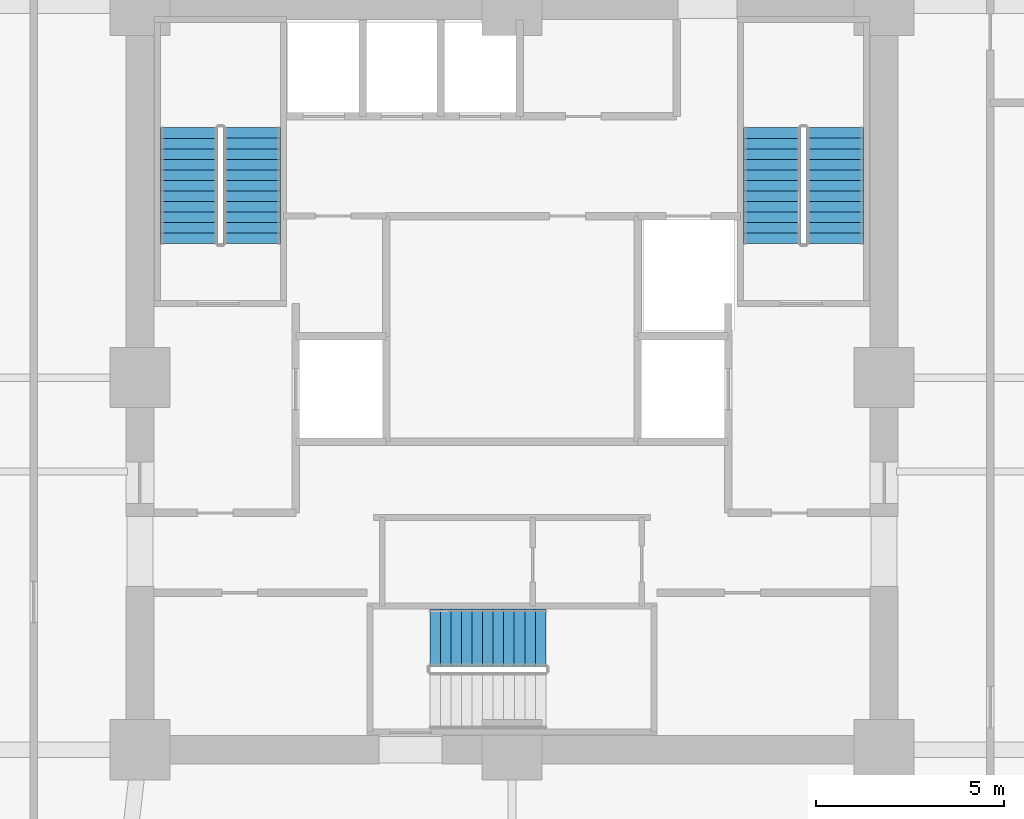
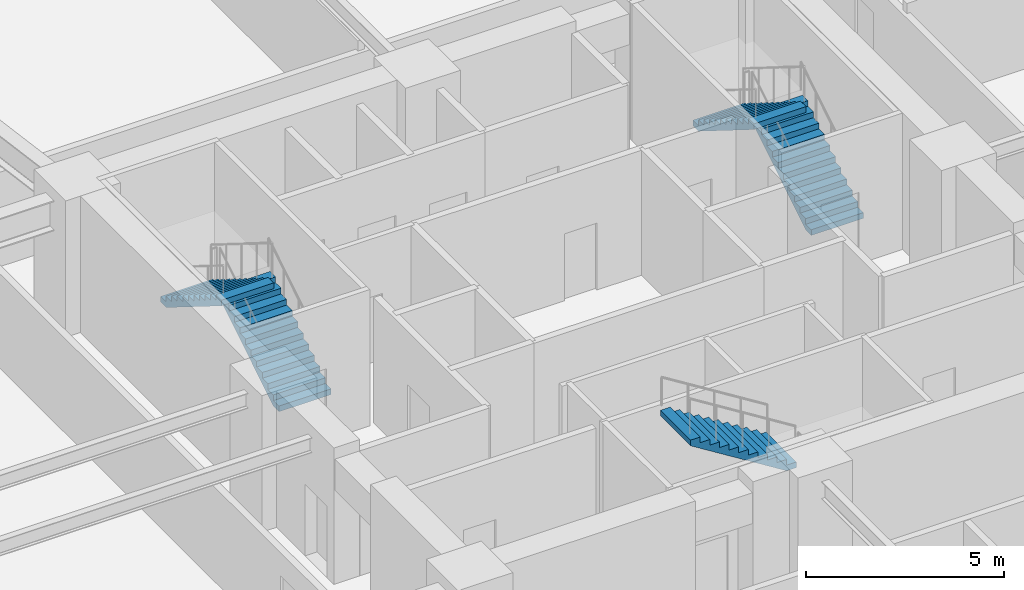
# One storey, part 4 of 5: 5 stair flights, 3 elements without a shape of their own.
"""IFC4 building model written with IfcOpenShell, lengths in metres."""

import ifcopenshell
import ifcopenshell.guid

model = None  # the IFC model being written
_history = None  # IfcOwnerHistory: only IFC2X3 demands one
_inside = {}  # id of a spatial element -> (the spatial element, [elements in it])
_under = {}  # id of a project, library or spatial element -> (it, [spatial elements below it])
_declared = {}  # id of a project -> (the project, [libraries it declares])
_typed = {}  # id of a type object -> (the type object, [elements of that type])
_made_of = {}  # id of a material, layer set ... -> (it, [elements and type objects made of it])


def new_model(schema):
    """Start an empty IFC model of exactly this schema.

    Asked for "IFC4X3", IfcOpenShell would pick the latest addendum, in which some entities
    have other attributes; the version numbers below select the first issue.
    IFC2X3 requires an IfcOwnerHistory on every rooted entity: one is made here for all.
    """
    global model, _history
    if schema == "IFC4X3":
        model = ifcopenshell.file(schema_version=(4, 3, 0, 0))
    else:
        model = ifcopenshell.file(schema=schema)
    _inside.clear()
    _under.clear()
    _declared.clear()
    _typed.clear()
    _made_of.clear()
    _history = None
    if model.schema == "IFC2X3":
        org = make("IfcOrganization", Name="unknown")
        user = make(
            "IfcPersonAndOrganization",
            ThePerson=make("IfcPerson", FamilyName="unknown"),
            TheOrganization=org,
        )
        app = make(
            "IfcApplication",
            ApplicationDeveloper=org,
            Version="unknown",
            ApplicationFullName="unknown",
            ApplicationIdentifier="unknown",
        )
        _history = make(
            "IfcOwnerHistory",
            OwningUser=user,
            OwningApplication=app,
            ChangeAction="ADDED",
            CreationDate=0,
        )
    return model


def make(cls, **values):
    """One entity of the class cls with the attributes given. An attribute that is None is left unset."""
    return model.create_entity(
        cls, **{name: value for name, value in values.items() if value is not None}
    )


def rooted(cls, **values):
    """An entity with a GlobalId (a new one), such as an element, a storey or a relation."""
    return make(cls, GlobalId=ifcopenshell.guid.new(), OwnerHistory=_history, **values)


def si_unit(unit_type, name, prefix=None):
    """IfcSIUnit, for example si_unit("LENGTHUNIT", "METRE", prefix="MILLI")."""
    return make("IfcSIUnit", UnitType=unit_type, Prefix=prefix, Name=name)


def assignment(units):
    """IfcUnitAssignment: the units of a project."""
    return None if units is None else make("IfcUnitAssignment", Units=units)


def point(xyz):
    """IfcCartesianPoint."""
    return None if xyz is None else make("IfcCartesianPoint", Coordinates=xyz)


def direction(xyz):
    """IfcDirection."""
    return None if xyz is None else make("IfcDirection", DirectionRatios=xyz)


def frame(location, z_axis=None, x_axis=None):
    """IfcAxis2Placement3D, a coordinate frame: its origin and axes. An axis left out is left unset."""
    return make(
        "IfcAxis2Placement3D",
        Location=point(location),
        Axis=direction(z_axis),
        RefDirection=direction(x_axis),
    )


def origin():
    """The frame at (0, 0, 0) with its axes left unset."""
    return frame((0.0, 0.0, 0.0))


def place(relative_to, where):
    """IfcLocalPlacement: puts the frame where relative to a parent placement (None: the world)."""
    return make(
        "IfcLocalPlacement", PlacementRelTo=relative_to, RelativePlacement=where
    )


def context(
    kind, dimensions, precision=None, world=None, true_north=None, identifier=None
):
    """IfcGeometricRepresentationContext, for example the 3D "Model" context."""
    return make(
        "IfcGeometricRepresentationContext",
        ContextIdentifier=identifier,
        ContextType=kind,
        CoordinateSpaceDimension=dimensions,
        Precision=precision,
        WorldCoordinateSystem=world,
        TrueNorth=true_north,
    )


def subcontext(parent, identifier, kind, view, scale=None):
    """IfcGeometricRepresentationSubContext, for example "Body" below "Model"."""
    return make(
        "IfcGeometricRepresentationSubContext",
        ContextIdentifier=identifier,
        ContextType=kind,
        ParentContext=parent,
        TargetScale=scale,
        TargetView=view,
    )


def project(units=None, contexts=None):
    """IfcProject with its units and contexts."""
    return rooted(
        "IfcProject",
        Name="project",
        RepresentationContexts=contexts,
        UnitsInContext=assignment(units),
    )


def spatial(cls, under=None, at=None, **own):
    """A site, building, storey or space (cls), placed at a placement, below another one or the project."""
    s = rooted(cls, ObjectPlacement=at, **own)
    if under is not None:
        _under.setdefault(under.id(), (under, []))[1].append(s)
    return s


def polyline(points):
    """IfcPolyline through the points."""
    return make("IfcPolyline", Points=[point(p) for p in points])


def outline(outer, holes=None, kind="AREA"):
    """IfcArbitraryClosedProfileDef: a profile drawn as a closed curve; with holes, ...WithVoids."""
    if holes is None:
        return make("IfcArbitraryClosedProfileDef", ProfileType=kind, OuterCurve=outer)
    return make(
        "IfcArbitraryProfileDefWithVoids",
        ProfileType=kind,
        OuterCurve=outer,
        InnerCurves=holes,
    )


def extrude(swept, where, along, depth):
    """IfcExtrudedAreaSolid: the profile swept, set in the frame where, extruded along a direction by depth."""
    return make(
        "IfcExtrudedAreaSolid",
        SweptArea=swept,
        Position=where,
        ExtrudedDirection=direction(along),
        Depth=depth,
    )


def shape(context_of_items, identifier, shape_type, items):
    """IfcShapeRepresentation: the items that make up one representation, for example the "Body"."""
    return make(
        "IfcShapeRepresentation",
        ContextOfItems=context_of_items,
        RepresentationIdentifier=identifier,
        RepresentationType=shape_type,
        Items=items,
    )


def material(Name=None, Category=None):
    """IfcMaterial."""
    return make("IfcMaterial", Name=Name, Category=Category)


def made_of(thing, what):
    """Note that an element or type object is made of a material, layer set ...; save() writes the relation."""
    if what is not None:
        _made_of.setdefault(what.id(), (what, []))[1].append(thing)
    return thing


def type_object(cls, material=None, **own):
    """A type object (cls), such as IfcWallType, which elements share."""
    return made_of(rooted(cls, **own), material)


def element(
    cls,
    number,
    at=None,
    inside=None,
    cuts=None,
    type_object=None,
    material=None,
    context=None,
    identifier="Body",
    shape_type=None,
    held_by="IfcProductDefinitionShape",
    body=None,
    shapes=None,
    **own,
):
    """One element of the class cls, such as IfcWall. Its Tag is "e" and its number.

    at: its placement. inside: the storey or other place that contains it. cuts: it is an
    opening in that element (IfcRelVoidsElement). A single representation is given by context,
    identifier, shape_type and body (its items); several are given by shapes. held_by: the class
    of the entity that holds the representations. save() writes the other relations.
    """
    e = rooted(cls, Tag="e%d" % number, ObjectPlacement=at, **own)
    if body is not None:
        shapes = [shape(context, identifier, shape_type, body)]
    if shapes is not None:
        e.Representation = make(held_by, Representations=shapes)
    if inside is not None:
        _inside.setdefault(inside.id(), (inside, []))[1].append(e)
    if cuts is not None:
        rooted(
            "IfcRelVoidsElement", RelatingBuildingElement=cuts, RelatedOpeningElement=e
        )
    if type_object is not None:
        _typed.setdefault(type_object.id(), (type_object, []))[1].append(e)
    return made_of(e, material)


def aggregate(whole, parts):
    """IfcRelAggregates: a whole, such as a stair, and the parts it consists of."""
    return rooted("IfcRelAggregates", RelatingObject=whole, RelatedObjects=parts)


def save(model, path):
    """Write the relations noted so far, then the file.

    IfcRelAggregates (storeys below a building ...), IfcRelContainedInSpatialStructure (elements
    in a storey), IfcRelDefinesByType, IfcRelAssociatesMaterial and IfcRelDeclares: one each for
    every whole, place, type object, material and project.
    """
    for whole, parts in _under.values():
        aggregate(whole, parts)
    for where, things in _inside.values():
        rooted(
            "IfcRelContainedInSpatialStructure",
            RelatedElements=things,
            RelatingStructure=where,
        )
    for kind, things in _typed.values():
        rooted("IfcRelDefinesByType", RelatedObjects=things, RelatingType=kind)
    for what, things in _made_of.values():
        rooted("IfcRelAssociatesMaterial", RelatedObjects=things, RelatingMaterial=what)
    for by, libraries in _declared.values():
        rooted("IfcRelDeclares", RelatingContext=by, RelatedDefinitions=libraries)
    model.write(path)


model = new_model("IFC4")

# Units and contexts
model_context = context("Model", 3, precision=1e-05, world=origin(), true_north=direction((0.0, 1.0)))
body_context = subcontext(model_context, "Body", "Model", "MODEL_VIEW")
ifc_project = project(units=[si_unit("LENGTHUNIT", "METRE"), si_unit("AREAUNIT", "SQUARE_METRE"), si_unit("VOLUMEUNIT", "CUBIC_METRE"), si_unit("PLANEANGLEUNIT", "RADIAN"), si_unit("MASSUNIT", "GRAM", prefix="KILO")], contexts=[model_context])

# Site, building, storey
site_placement = place(None, origin())
site = spatial("IfcSite", under=ifc_project, at=site_placement, CompositionType="ELEMENT")
building_placement = place(site_placement, origin())
building = spatial("IfcBuilding", under=site, at=building_placement, Name="Kolvaren Belvedere", CompositionType="ELEMENT")
storey_placement = place(building_placement, frame((0.0, 0.0, -4.199951171875)))
storey = spatial("IfcBuildingStorey", under=building, at=storey_placement, Name="B01", CompositionType="ELEMENT", Elevation=-4.199951171875)

# Stair, stair flights
ifc_material_1 = material(Name="Concrete C50/60", Category="concrete")
stair_type = type_object("IfcStairType", Name="ST-CORE-1520", PredefinedType="HALF_TURN_STAIR", material=ifc_material_1)
stair_1_placement = place(storey_placement, origin())
stair_1 = element("IfcStair", 1, at=stair_1_placement, inside=storey, type_object=stair_type, Name="B01 Protected Exit Stair ST-1", PredefinedType="HALF_TURN_STAIR")
ifc_material_2 = material(Name="Concrete C50/60", Category="concrete")
stair_flight_type = type_object("IfcStairFlightType", Name="SF-STR-1520", PredefinedType="STRAIGHT", material=ifc_material_2)
stair_flight_1_placement = place(storey_placement, frame((-6.919921875, 3.570068359375, 0.0), z_axis=(0.0, 0.0, 1.0), x_axis=(0.0, 1.0, 0.0)))
stair_flight_1 = element("IfcStairFlight", 2, at=stair_flight_1_placement, type_object=stair_flight_type, Name="ST-1 flight 1", NumberOfRisers=12, NumberOfTreads=11, PredefinedType="STRAIGHT", RiserHeight=0.175, TreadLength=0.28, context=body_context, shape_type="SweptSolid", body=[
    extrude(outline(polyline([(0.0, 0.0), (0.0, 0.175048828125), (0.280029296875, 0.175048828125), (0.280029296875, 0.35009765625), (0.56005859375, 0.35009765625), (0.56005859375, 0.52490234375), (0.840087890625, 0.52490234375), (0.840087890625, 0.699951171875), (1.1201171875, 0.699951171875), (1.1201171875, 0.875), (1.39990234375, 0.875), (1.39990234375, 1.050048828125), (1.679931640625, 1.050048828125), (1.679931640625, 1.22509765625), (1.9599609375, 1.22509765625), (1.9599609375, 1.39990234375), (2.239990234375, 1.39990234375), (2.239990234375, 1.574951171875), (2.52001953125, 1.574951171875), (2.52001953125, 1.75), (2.800048828125, 1.75), (2.800048828125, 1.925048828125), (3.080078125, 1.925048828125), (3.080078125, 2.10009765625), (3.080078125, 1.748291015625), (0.28271484375, 0.0), (0.0, 0.0)])), frame((0.0, 0.760009765625, 0.0), z_axis=(0.0, -1.0, 0.0), x_axis=(1.0, 0.0, 0.0)), (0.0, 0.0, 1.0), 1.52001953125),
])
stair_flight_2_placement = place(storey_placement, frame((-8.590087890625, 6.64990234375, 2.099853515625), z_axis=(0.0, 0.0, 1.0), x_axis=(0.0, -1.0, 0.0)))
stair_flight_2 = element("IfcStairFlight", 3, at=stair_flight_2_placement, type_object=stair_flight_type, Name="ST-1 flight 2", NumberOfRisers=12, NumberOfTreads=11, PredefinedType="STRAIGHT", RiserHeight=0.175, TreadLength=0.28, context=body_context, shape_type="SweptSolid", body=[
    extrude(outline(polyline([(0.0, 0.0), (0.0, 0.175048828125), (0.280029296875, 0.175048828125), (0.280029296875, 0.35009765625), (0.56005859375, 0.35009765625), (0.56005859375, 0.52490234375), (0.840087890625, 0.52490234375), (0.840087890625, 0.699951171875), (1.1201171875, 0.699951171875), (1.1201171875, 0.875), (1.39990234375, 0.875), (1.39990234375, 1.050048828125), (1.679931640625, 1.050048828125), (1.679931640625, 1.22509765625), (1.9599609375, 1.22509765625), (1.9599609375, 1.39990234375), (2.239990234375, 1.39990234375), (2.239990234375, 1.574951171875), (2.52001953125, 1.574951171875), (2.52001953125, 1.75), (2.800048828125, 1.75), (2.800048828125, 1.925048828125), (3.080078125, 1.925048828125), (3.080078125, 2.10009765625), (3.080078125, 1.748291015625), (0.28271484375, 0.0), (0.0, 0.0)])), frame((0.0, 0.760009765625, 0.0), z_axis=(0.0, -1.0, 0.0), x_axis=(1.0, 0.0, 0.0)), (0.0, 0.0, 1.0), 1.52001953125),
])
aggregate(stair_1, [stair_flight_1, stair_flight_2])

stair_2_placement = place(storey_placement, origin())
stair_2 = element("IfcStair", 4, at=stair_2_placement, inside=storey, type_object=stair_type, Name="B01 Protected Exit Stair ST-2", PredefinedType="HALF_TURN_STAIR")
stair_flight_3_placement = place(storey_placement, frame((8.590087890625, 3.570068359375, 0.0), z_axis=(0.0, 0.0, 1.0), x_axis=(0.0, 1.0, 0.0)))
stair_flight_3 = element("IfcStairFlight", 5, at=stair_flight_3_placement, type_object=stair_flight_type, Name="ST-2 flight 1", NumberOfRisers=12, NumberOfTreads=11, PredefinedType="STRAIGHT", RiserHeight=0.175, TreadLength=0.28, context=body_context, shape_type="SweptSolid", body=[
    extrude(outline(polyline([(0.0, 0.0), (0.0, 0.175048828125), (0.280029296875, 0.175048828125), (0.280029296875, 0.35009765625), (0.56005859375, 0.35009765625), (0.56005859375, 0.52490234375), (0.840087890625, 0.52490234375), (0.840087890625, 0.699951171875), (1.1201171875, 0.699951171875), (1.1201171875, 0.875), (1.39990234375, 0.875), (1.39990234375, 1.050048828125), (1.679931640625, 1.050048828125), (1.679931640625, 1.22509765625), (1.9599609375, 1.22509765625), (1.9599609375, 1.39990234375), (2.239990234375, 1.39990234375), (2.239990234375, 1.574951171875), (2.52001953125, 1.574951171875), (2.52001953125, 1.75), (2.800048828125, 1.75), (2.800048828125, 1.925048828125), (3.080078125, 1.925048828125), (3.080078125, 2.10009765625), (3.080078125, 1.748291015625), (0.28271484375, 0.0), (0.0, 0.0)])), frame((0.0, 0.760009765625, 0.0), z_axis=(0.0, -1.0, 0.0), x_axis=(1.0, 0.0, 0.0)), (0.0, 0.0, 1.0), 1.52001953125),
])
stair_flight_4_placement = place(storey_placement, frame((6.919921875, 6.64990234375, 2.099853515625), z_axis=(0.0, 0.0, 1.0), x_axis=(0.0, -1.0, 0.0)))
stair_flight_4 = element("IfcStairFlight", 6, at=stair_flight_4_placement, type_object=stair_flight_type, Name="ST-2 flight 2", NumberOfRisers=12, NumberOfTreads=11, PredefinedType="STRAIGHT", RiserHeight=0.175, TreadLength=0.28, context=body_context, shape_type="SweptSolid", body=[
    extrude(outline(polyline([(0.0, 0.0), (0.0, 0.175048828125), (0.280029296875, 0.175048828125), (0.280029296875, 0.35009765625), (0.56005859375, 0.35009765625), (0.56005859375, 0.52490234375), (0.840087890625, 0.52490234375), (0.840087890625, 0.699951171875), (1.1201171875, 0.699951171875), (1.1201171875, 0.875), (1.39990234375, 0.875), (1.39990234375, 1.050048828125), (1.679931640625, 1.050048828125), (1.679931640625, 1.22509765625), (1.9599609375, 1.22509765625), (1.9599609375, 1.39990234375), (2.239990234375, 1.39990234375), (2.239990234375, 1.574951171875), (2.52001953125, 1.574951171875), (2.52001953125, 1.75), (2.800048828125, 1.75), (2.800048828125, 1.925048828125), (3.080078125, 1.925048828125), (3.080078125, 2.10009765625), (3.080078125, 1.748291015625), (0.28271484375, 0.0), (0.0, 0.0)])), frame((0.0, 0.760009765625, 0.0), z_axis=(0.0, -1.0, 0.0), x_axis=(1.0, 0.0, 0.0)), (0.0, 0.0, 1.0), 1.52001953125),
])
aggregate(stair_2, [stair_flight_3, stair_flight_4])

# Stair, stair flight
stair_3_placement = place(storey_placement, origin())
stair_3 = element("IfcStair", 7, at=stair_3_placement, inside=storey, type_object=stair_type, Name="B01 Protected Exit Stair ST-3", PredefinedType="HALF_TURN_STAIR")
stair_flight_5_placement = place(storey_placement, frame((0.89990234375, -6.919921875, 2.099853515625), z_axis=(0.0, 0.0, 1.0), x_axis=(-1.0, 0.0, 0.0)))
stair_flight_5 = element("IfcStairFlight", 8, at=stair_flight_5_placement, type_object=stair_flight_type, Name="ST-3 flight 2", NumberOfRisers=12, NumberOfTreads=11, PredefinedType="STRAIGHT", RiserHeight=0.175, TreadLength=0.28, context=body_context, shape_type="SweptSolid", body=[
    extrude(outline(polyline([(0.0, 0.0), (0.0, 0.175048828125), (0.280029296875, 0.175048828125), (0.280029296875, 0.35009765625), (0.56005859375, 0.35009765625), (0.56005859375, 0.52490234375), (0.840087890625, 0.52490234375), (0.840087890625, 0.699951171875), (1.1201171875, 0.699951171875), (1.1201171875, 0.875), (1.39990234375, 0.875), (1.39990234375, 1.050048828125), (1.679931640625, 1.050048828125), (1.679931640625, 1.22509765625), (1.9599609375, 1.22509765625), (1.9599609375, 1.39990234375), (2.239990234375, 1.39990234375), (2.239990234375, 1.574951171875), (2.52001953125, 1.574951171875), (2.52001953125, 1.75), (2.800048828125, 1.75), (2.800048828125, 1.925048828125), (3.080078125, 1.925048828125), (3.080078125, 2.10009765625), (3.080078125, 1.748291015625), (0.28271484375, 0.0), (0.0, 0.0)])), frame((0.0, 0.760009765625, 0.0), z_axis=(0.0, -1.0, 0.0), x_axis=(1.0, 0.0, 0.0)), (0.0, 0.0, 1.0), 1.52001953125),
])
aggregate(stair_3, [stair_flight_5])

save(model, "model.ifc")
